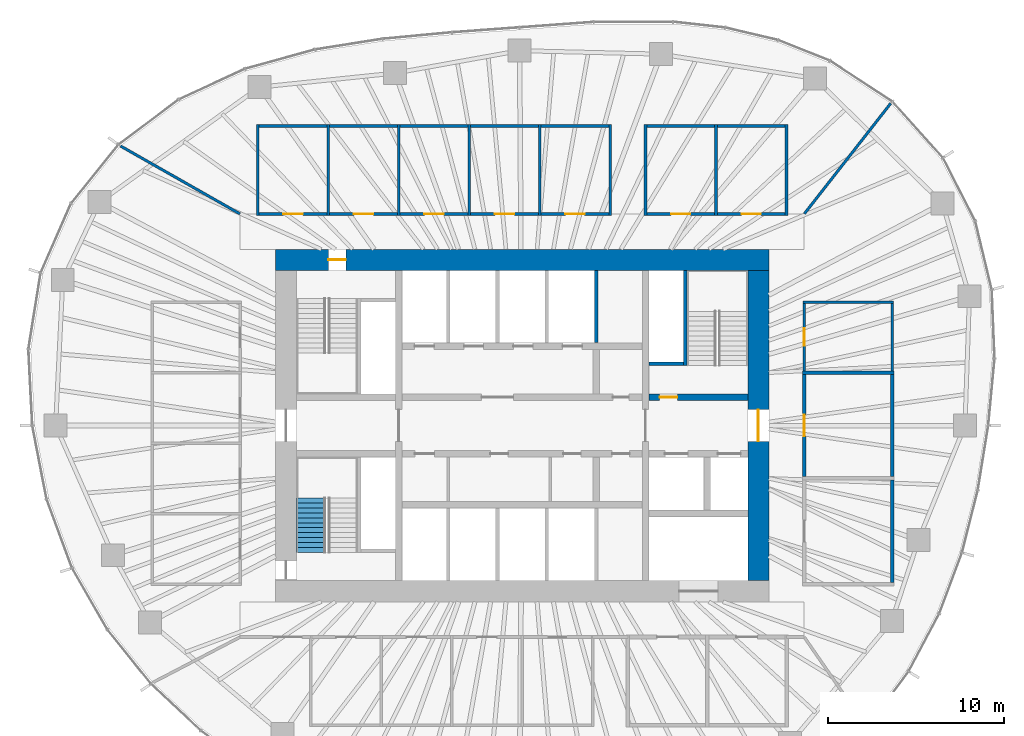
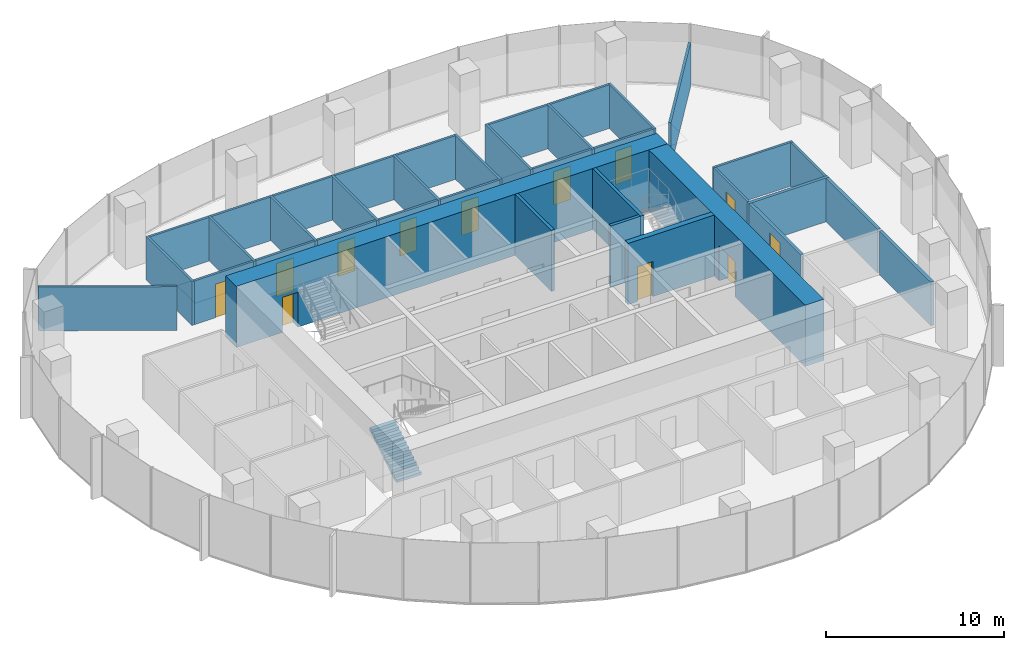
# One storey, part 10 of 12: 38 walls, 12 doors, 1 stair flight, 12 openings, 1 element without a shape of its own.
"""IFC4 building model written with IfcOpenShell, lengths in metres."""

import ifcopenshell
import ifcopenshell.guid

model = None  # the IFC model being written
_history = None  # IfcOwnerHistory: only IFC2X3 demands one
_inside = {}  # id of a spatial element -> (the spatial element, [elements in it])
_under = {}  # id of a project, library or spatial element -> (it, [spatial elements below it])
_declared = {}  # id of a project -> (the project, [libraries it declares])
_typed = {}  # id of a type object -> (the type object, [elements of that type])
_made_of = {}  # id of a material, layer set ... -> (it, [elements and type objects made of it])


def new_model(schema):
    """Start an empty IFC model of exactly this schema.

    Asked for "IFC4X3", IfcOpenShell would pick the latest addendum, in which some entities
    have other attributes; the version numbers below select the first issue.
    IFC2X3 requires an IfcOwnerHistory on every rooted entity: one is made here for all.
    """
    global model, _history
    if schema == "IFC4X3":
        model = ifcopenshell.file(schema_version=(4, 3, 0, 0))
    else:
        model = ifcopenshell.file(schema=schema)
    _inside.clear()
    _under.clear()
    _declared.clear()
    _typed.clear()
    _made_of.clear()
    _history = None
    if model.schema == "IFC2X3":
        org = make("IfcOrganization", Name="unknown")
        user = make(
            "IfcPersonAndOrganization",
            ThePerson=make("IfcPerson", FamilyName="unknown"),
            TheOrganization=org,
        )
        app = make(
            "IfcApplication",
            ApplicationDeveloper=org,
            Version="unknown",
            ApplicationFullName="unknown",
            ApplicationIdentifier="unknown",
        )
        _history = make(
            "IfcOwnerHistory",
            OwningUser=user,
            OwningApplication=app,
            ChangeAction="ADDED",
            CreationDate=0,
        )
    return model


def make(cls, **values):
    """One entity of the class cls with the attributes given. An attribute that is None is left unset."""
    return model.create_entity(
        cls, **{name: value for name, value in values.items() if value is not None}
    )


def rooted(cls, **values):
    """An entity with a GlobalId (a new one), such as an element, a storey or a relation."""
    return make(cls, GlobalId=ifcopenshell.guid.new(), OwnerHistory=_history, **values)


def si_unit(unit_type, name, prefix=None):
    """IfcSIUnit, for example si_unit("LENGTHUNIT", "METRE", prefix="MILLI")."""
    return make("IfcSIUnit", UnitType=unit_type, Prefix=prefix, Name=name)


def assignment(units):
    """IfcUnitAssignment: the units of a project."""
    return None if units is None else make("IfcUnitAssignment", Units=units)


def point(xyz):
    """IfcCartesianPoint."""
    return None if xyz is None else make("IfcCartesianPoint", Coordinates=xyz)


def direction(xyz):
    """IfcDirection."""
    return None if xyz is None else make("IfcDirection", DirectionRatios=xyz)


def frame(location, z_axis=None, x_axis=None):
    """IfcAxis2Placement3D, a coordinate frame: its origin and axes. An axis left out is left unset."""
    return make(
        "IfcAxis2Placement3D",
        Location=point(location),
        Axis=direction(z_axis),
        RefDirection=direction(x_axis),
    )


def frame_2d(location, x_axis=None):
    """IfcAxis2Placement2D, a coordinate frame in the plane: its origin and x axis."""
    return make(
        "IfcAxis2Placement2D", Location=point(location), RefDirection=direction(x_axis)
    )


def origin():
    """The frame at (0, 0, 0) with its axes left unset."""
    return frame((0.0, 0.0, 0.0))


def place(relative_to, where):
    """IfcLocalPlacement: puts the frame where relative to a parent placement (None: the world)."""
    return make(
        "IfcLocalPlacement", PlacementRelTo=relative_to, RelativePlacement=where
    )


def context(
    kind, dimensions, precision=None, world=None, true_north=None, identifier=None
):
    """IfcGeometricRepresentationContext, for example the 3D "Model" context."""
    return make(
        "IfcGeometricRepresentationContext",
        ContextIdentifier=identifier,
        ContextType=kind,
        CoordinateSpaceDimension=dimensions,
        Precision=precision,
        WorldCoordinateSystem=world,
        TrueNorth=true_north,
    )


def subcontext(parent, identifier, kind, view, scale=None):
    """IfcGeometricRepresentationSubContext, for example "Body" below "Model"."""
    return make(
        "IfcGeometricRepresentationSubContext",
        ContextIdentifier=identifier,
        ContextType=kind,
        ParentContext=parent,
        TargetScale=scale,
        TargetView=view,
    )


def project(units=None, contexts=None):
    """IfcProject with its units and contexts."""
    return rooted(
        "IfcProject",
        Name="project",
        RepresentationContexts=contexts,
        UnitsInContext=assignment(units),
    )


def spatial(cls, under=None, at=None, **own):
    """A site, building, storey or space (cls), placed at a placement, below another one or the project."""
    s = rooted(cls, ObjectPlacement=at, **own)
    if under is not None:
        _under.setdefault(under.id(), (under, []))[1].append(s)
    return s


def polyline(points):
    """IfcPolyline through the points."""
    return make("IfcPolyline", Points=[point(p) for p in points])


def profile(cls, at=None, kind="AREA", **sizes):
    """A parametric profile (cls). Its sizes go by their IFC names, for example OverallWidth=200.0."""
    return make(cls, ProfileType=kind, Position=at, **sizes)


def rectangle(**sizes):
    """IfcRectangleProfileDef."""
    return profile("IfcRectangleProfileDef", **sizes)


def outline(outer, holes=None, kind="AREA"):
    """IfcArbitraryClosedProfileDef: a profile drawn as a closed curve; with holes, ...WithVoids."""
    if holes is None:
        return make("IfcArbitraryClosedProfileDef", ProfileType=kind, OuterCurve=outer)
    return make(
        "IfcArbitraryProfileDefWithVoids",
        ProfileType=kind,
        OuterCurve=outer,
        InnerCurves=holes,
    )


def extrude(swept, where, along, depth):
    """IfcExtrudedAreaSolid: the profile swept, set in the frame where, extruded along a direction by depth."""
    return make(
        "IfcExtrudedAreaSolid",
        SweptArea=swept,
        Position=where,
        ExtrudedDirection=direction(along),
        Depth=depth,
    )


def shape(context_of_items, identifier, shape_type, items):
    """IfcShapeRepresentation: the items that make up one representation, for example the "Body"."""
    return make(
        "IfcShapeRepresentation",
        ContextOfItems=context_of_items,
        RepresentationIdentifier=identifier,
        RepresentationType=shape_type,
        Items=items,
    )


def material(Name=None, Category=None):
    """IfcMaterial."""
    return make("IfcMaterial", Name=Name, Category=Category)


def layer(
    of_material, thickness, ventilated=None, Name=None, Category=None, Priority=None
):
    """IfcMaterialLayer: one layer of a wall or slab, of a material (None: an air gap)."""
    return make(
        "IfcMaterialLayer",
        Material=of_material,
        LayerThickness=thickness,
        IsVentilated=ventilated,
        Name=Name,
        Category=Category,
        Priority=Priority,
    )


def layer_set(layers, Name=None):
    """IfcMaterialLayerSet."""
    return make("IfcMaterialLayerSet", MaterialLayers=layers, LayerSetName=Name)


def made_of(thing, what):
    """Note that an element or type object is made of a material, layer set ...; save() writes the relation."""
    if what is not None:
        _made_of.setdefault(what.id(), (what, []))[1].append(thing)
    return thing


def type_object(cls, material=None, **own):
    """A type object (cls), such as IfcWallType, which elements share."""
    return made_of(rooted(cls, **own), material)


def element(
    cls,
    number,
    at=None,
    inside=None,
    cuts=None,
    type_object=None,
    material=None,
    context=None,
    identifier="Body",
    shape_type=None,
    held_by="IfcProductDefinitionShape",
    body=None,
    shapes=None,
    **own,
):
    """One element of the class cls, such as IfcWall. Its Tag is "e" and its number.

    at: its placement. inside: the storey or other place that contains it. cuts: it is an
    opening in that element (IfcRelVoidsElement). A single representation is given by context,
    identifier, shape_type and body (its items); several are given by shapes. held_by: the class
    of the entity that holds the representations. save() writes the other relations.
    """
    e = rooted(cls, Tag="e%d" % number, ObjectPlacement=at, **own)
    if body is not None:
        shapes = [shape(context, identifier, shape_type, body)]
    if shapes is not None:
        e.Representation = make(held_by, Representations=shapes)
    if inside is not None:
        _inside.setdefault(inside.id(), (inside, []))[1].append(e)
    if cuts is not None:
        rooted(
            "IfcRelVoidsElement", RelatingBuildingElement=cuts, RelatedOpeningElement=e
        )
    if type_object is not None:
        _typed.setdefault(type_object.id(), (type_object, []))[1].append(e)
    return made_of(e, material)


def fill(opening, filler):
    """IfcRelFillsElement: the door or window that sits in an opening."""
    return rooted(
        "IfcRelFillsElement",
        RelatingOpeningElement=opening,
        RelatedBuildingElement=filler,
    )


def aggregate(whole, parts):
    """IfcRelAggregates: a whole, such as a stair, and the parts it consists of."""
    return rooted("IfcRelAggregates", RelatingObject=whole, RelatedObjects=parts)


def save(model, path):
    """Write the relations noted so far, then the file.

    IfcRelAggregates (storeys below a building ...), IfcRelContainedInSpatialStructure (elements
    in a storey), IfcRelDefinesByType, IfcRelAssociatesMaterial and IfcRelDeclares: one each for
    every whole, place, type object, material and project.
    """
    for whole, parts in _under.values():
        aggregate(whole, parts)
    for where, things in _inside.values():
        rooted(
            "IfcRelContainedInSpatialStructure",
            RelatedElements=things,
            RelatingStructure=where,
        )
    for kind, things in _typed.values():
        rooted("IfcRelDefinesByType", RelatedObjects=things, RelatingType=kind)
    for what, things in _made_of.values():
        rooted("IfcRelAssociatesMaterial", RelatedObjects=things, RelatingMaterial=what)
    for by, libraries in _declared.values():
        rooted("IfcRelDeclares", RelatingContext=by, RelatedDefinitions=libraries)
    model.write(path)


model = new_model("IFC4")

# Units and contexts
model_context = context("Model", 3, precision=1e-05, world=origin(), true_north=direction((0.0, 1.0)))
body_context = subcontext(model_context, "Body", "Model", "MODEL_VIEW")
ifc_project = project(units=[si_unit("LENGTHUNIT", "METRE"), si_unit("AREAUNIT", "SQUARE_METRE"), si_unit("VOLUMEUNIT", "CUBIC_METRE"), si_unit("PLANEANGLEUNIT", "RADIAN"), si_unit("MASSUNIT", "GRAM", prefix="KILO")], contexts=[model_context])

# Site, building, storey
site_placement = place(None, origin())
site = spatial("IfcSite", under=ifc_project, at=site_placement, CompositionType="ELEMENT")
building_placement = place(site_placement, origin())
building = spatial("IfcBuilding", under=site, at=building_placement, Name="Ghaith Harvest Tower", CompositionType="ELEMENT")
storey_placement = place(building_placement, frame((0.0, 0.0, 207.39990234375)))
storey = spatial("IfcBuildingStorey", under=building, at=storey_placement, Name="L45", CompositionType="ELEMENT", Elevation=207.39990234375)

# Walls
ifc_material_1 = material(Name="Twin-stud gypsum board, acoustic", Category="gypsum")
ifc_layer_1 = layer(ifc_material_1, 0.199951171875)
ifc_layer_set_1 = layer_set([ifc_layer_1], Name="ACOUSTIC PARTITION 200")
wall_type_1 = type_object("IfcWallType", Name="ACOUSTIC PARTITION 200", PredefinedType="PARTITIONING", material=ifc_layer_set_1)
wall_1_placement = place(storey_placement, frame((15.89990234375, 3.0, 0.0), z_axis=(0.0, 0.0, 1.0), x_axis=(1.0, 0.0, 0.0)))
element("IfcWall", 1, at=wall_1_placement, inside=storey, type_object=wall_type_1, Name="Partition L45 row E3 cross wall 3", PredefinedType="PARTITIONING", context=body_context, shape_type="SweptSolid", body=[
    extrude(rectangle(XDim=5.2001953125, YDim=0.199951171875, at=frame_2d((2.60009765625, 0.0))), origin(), (0.0, 0.0, 1.0), 3.0),
])
wall_2_placement = place(storey_placement, frame((21.0, -8.89990234375, 0.0), z_axis=(0.0, 0.0, 1.0), x_axis=(0.0, 1.0, 0.0)))
element("IfcWall", 2, at=wall_2_placement, inside=storey, type_object=wall_type_1, Name="Partition L45-08", PredefinedType="PARTITIONING", context=body_context, shape_type="SweptSolid", body=[
    extrude(rectangle(XDim=5.7998046875, YDim=0.199951171875, at=frame_2d((2.89990234375, 0.0))), origin(), (0.0, 0.0, 1.0), 3.0),
])

# Wall, opening, door
wall_3_placement = place(storey_placement, frame((16.0, -2.89990234375, 0.0), z_axis=(0.0, 0.0, 1.0), x_axis=(0.0, 1.0, 0.0)))
wall_3 = element("IfcWall", 3, at=wall_3_placement, inside=storey, type_object=wall_type_1, Name="Partition L45-09", PredefinedType="PARTITIONING", context=body_context, shape_type="SweptSolid", body=[
    extrude(rectangle(XDim=5.7998046875, YDim=0.199951171875, at=frame_2d((2.89990234375, 0.0))), origin(), (0.0, 0.0, 1.0), 3.0),
])
opening_1_placement = place(wall_3_placement, frame((2.300048828125, 0.0, 0.0)))
opening_1 = element("IfcOpeningElement", 4, at=opening_1_placement, cuts=wall_3, Name="Opening 45-029", PredefinedType="OPENING", context=body_context, shape_type="SweptSolid", body=[
    extrude(rectangle(XDim=1.199951171875, YDim=2.39990234375, at=frame_2d((0.60009765625, 1.199951171875))), frame((0.0, 0.10986328125, 0.0), z_axis=(0.0, -1.0, 0.0), x_axis=(1.0, 0.0, 0.0)), (0.0, 0.0, 1.0), 0.219970703125),
])
ifc_material_2 = material(Name="Timber door", Category="wood")
door_type_1 = type_object("IfcDoorType", Name="D11 GLAZED 1200x2400", OperationType="SINGLE_SWING_LEFT", PredefinedType="DOOR", material=ifc_material_2)
door_1_placement = place(opening_1_placement, origin())
door_1 = element("IfcDoor", 5, at=door_1_placement, inside=storey, type_object=door_type_1, Name="Meeting room door", OperationType="SINGLE_SWING_LEFT", OverallHeight=2.39990234375, OverallWidth=1.199951171875, PredefinedType="DOOR", context=body_context, shape_type="SweptSolid", body=[
    extrude(rectangle(XDim=1.199951171875, YDim=2.39990234375, at=frame_2d((0.60009765625, 1.199951171875))), frame((0.0, 0.02490234375, 0.0), z_axis=(0.0, -1.0, 0.0), x_axis=(1.0, 0.0, 0.0)), (0.0, 0.0, 1.0), 0.050048828125),
])
fill(opening_1, door_1)

# Wall
wall_4_placement = place(storey_placement, frame((21.0, -2.89990234375, 0.0), z_axis=(0.0, 0.0, 1.0), x_axis=(0.0, 1.0, 0.0)))
element("IfcWall", 6, at=wall_4_placement, inside=storey, type_object=wall_type_1, Name="Partition L45-09", PredefinedType="PARTITIONING", context=body_context, shape_type="SweptSolid", body=[
    extrude(rectangle(XDim=5.7998046875, YDim=0.199951171875, at=frame_2d((2.89990234375, 0.0))), origin(), (0.0, 0.0, 1.0), 3.0),
])

# Wall, opening, door
ifc_material_3 = material(Name="Concrete C60/75", Category="concrete")
ifc_layer_2 = layer(ifc_material_3, 1.199951171875)
ifc_layer_set_2 = layer_set([ifc_layer_2], Name="CORE WALL CW1200 C60")
wall_type_2 = type_object("IfcWallType", Name="CORE WALL CW1200 C60", PredefinedType="SHEAR", material=ifc_layer_set_2)
wall_5_placement = place(storey_placement, frame((14.0, 9.39990234375, 0.0), z_axis=(0.0, 0.0, 1.0), x_axis=(-1.0, 0.0, 0.0)))
wall_5 = element("IfcWall", 7, at=wall_5_placement, inside=storey, type_object=wall_type_2, Name="Core wall N L45", PredefinedType="SHEAR", context=body_context, shape_type="SweptSolid", body=[
    extrude(rectangle(XDim=28.0, YDim=1.199951171875, at=frame_2d((14.0, 0.0))), origin(), (0.0, 0.0, 1.0), 4.2001953125),
])
opening_2_placement = place(wall_5_placement, frame((24.0, 0.0, 0.0)))
opening_2 = element("IfcOpeningElement", 8, at=opening_2_placement, cuts=wall_5, Name="Opening 45-005", PredefinedType="OPENING", context=body_context, shape_type="SweptSolid", body=[
    extrude(rectangle(XDim=1.0, YDim=2.39990234375, at=frame_2d((0.5, 1.199951171875))), frame((0.0, 0.60986328125, 0.0), z_axis=(0.0, -1.0, 0.0), x_axis=(1.0, 0.0, 0.0)), (0.0, 0.0, 1.0), 1.219970703125),
])
ifc_material_4 = material(Name="Steel fire door", Category="steel")
door_type_2 = type_object("IfcDoorType", Name="D3 FD90 1000x2400", OperationType="SINGLE_SWING_LEFT", PredefinedType="DOOR", material=ifc_material_4)
door_2_placement = place(opening_2_placement, origin())
door_2 = element("IfcDoor", 9, at=door_2_placement, inside=storey, type_object=door_type_2, Name="Stair ST1 door", OperationType="SINGLE_SWING_RIGHT", OverallHeight=2.39990234375, OverallWidth=1.0, PredefinedType="DOOR", context=body_context, shape_type="SweptSolid", body=[
    extrude(rectangle(XDim=1.0, YDim=2.39990234375, at=frame_2d((0.5, 1.199951171875))), frame((0.0, 0.02490234375, 0.0), z_axis=(0.0, -1.0, 0.0), x_axis=(1.0, 0.0, 0.0)), (0.0, 0.0, 1.0), 0.050048828125),
])
fill(opening_2, door_2)

wall_6_placement = place(storey_placement, frame((13.39990234375, -8.800048828125, 0.0), z_axis=(0.0, 0.0, 1.0), x_axis=(0.0, 1.0, 0.0)))
wall_6 = element("IfcWall", 10, at=wall_6_placement, inside=storey, type_object=wall_type_2, Name="Core wall E L45", PredefinedType="SHEAR", context=body_context, shape_type="SweptSolid", body=[
    extrude(rectangle(XDim=17.60009765625, YDim=1.199951171875, at=frame_2d((8.800048828125, 0.0))), origin(), (0.0, 0.0, 1.0), 4.2001953125),
])
opening_3_placement = place(wall_6_placement, frame((7.89990234375, 0.0, 0.0)))
opening_3 = element("IfcOpeningElement", 11, at=opening_3_placement, cuts=wall_6, Name="Opening 45-002", PredefinedType="OPENING", context=body_context, shape_type="SweptSolid", body=[
    extrude(rectangle(XDim=1.800048828125, YDim=2.39990234375, at=frame_2d((0.89990234375, 1.199951171875))), frame((0.0, 0.60986328125, 0.0), z_axis=(0.0, -1.0, 0.0), x_axis=(1.0, 0.0, 0.0)), (0.0, 0.0, 1.0), 1.219970703125),
])
ifc_material_5 = material(Name="Steel fire door", Category="steel")
door_type_3 = type_object("IfcDoorType", Name="D4 FD90 PAIR 1800x2400", OperationType="DOUBLE_DOOR_SINGLE_SWING", PredefinedType="DOOR", material=ifc_material_5)
door_3_placement = place(opening_3_placement, origin())
door_3 = element("IfcDoor", 12, at=door_3_placement, inside=storey, type_object=door_type_3, Name="Fire-fighting lobby doors", OperationType="DOUBLE_DOOR_SINGLE_SWING", OverallHeight=2.39990234375, OverallWidth=1.800048828125, PredefinedType="DOOR", context=body_context, shape_type="SweptSolid", body=[
    extrude(rectangle(XDim=1.800048828125, YDim=2.39990234375, at=frame_2d((0.89990234375, 1.199951171875))), frame((0.0, 0.02490234375, 0.0), z_axis=(0.0, -1.0, 0.0), x_axis=(1.0, 0.0, 0.0)), (0.0, 0.0, 1.0), 0.050048828125),
])
fill(opening_3, door_3)

# Walls
ifc_material_6 = material(Name="Concrete blockwork, 2-hour", Category="masonry")
ifc_layer_3 = layer(ifc_material_6, 0.199951171875)
ifc_layer_set_3 = layer_set([ifc_layer_3], Name="LIFT SHAFT WALL 200")
wall_type_3 = type_object("IfcWallType", Name="LIFT SHAFT WALL 200", PredefinedType="PARTITIONING", material=ifc_layer_set_3)
wall_7_placement = place(storey_placement, frame((4.199951171875, 4.699951171875, 0.0), z_axis=(0.0, 0.0, 1.0), x_axis=(0.0, 1.0, 0.0)))
element("IfcWall", 13, at=wall_7_placement, inside=storey, type_object=wall_type_3, Name="Lift shaft wall L45", PredefinedType="PARTITIONING", context=body_context, shape_type="SweptSolid", body=[
    extrude(rectangle(XDim=4.10009765625, YDim=0.199951171875, at=frame_2d((2.050048828125, 0.0))), origin(), (0.0, 0.0, 1.0), 4.2001953125),
])
ifc_material_7 = material(Name="Gypsum board on steel studs", Category="steel")
ifc_layer_4 = layer(ifc_material_7, 0.14990234375)
ifc_layer_set_4 = layer_set([ifc_layer_4], Name="PARTITION 150")
wall_type_4 = type_object("IfcWallType", Name="PARTITION 150", PredefinedType="PARTITIONING", material=ifc_layer_set_4)
for number, where, z_axis, x_axis, name in (
    (14, (-15.0, 11.925048828125, 0.0), (0.0, 0.0, 1.0), (0.0, 1.0, 0.0), "Partition L45 row N1 cross wall 1"),
    (15, (-11.0, 11.925048828125, 0.0), (0.0, 0.0, 1.0), (0.0, 1.0, 0.0), "Partition L45 row N1 cross wall 2"),
    (16, (-7.0, 11.925048828125, 0.0), (0.0, 0.0, 1.0), (0.0, 1.0, 0.0), "Partition L45 row N1 cross wall 3"),
    (17, (-3.0, 11.925048828125, 0.0), (0.0, 0.0, 1.0), (0.0, 1.0, 0.0), "Partition L45 row N1 cross wall 4"),
    (18, (1.0, 11.925048828125, 0.0), (0.0, 0.0, 1.0), (0.0, 1.0, 0.0), "Partition L45 row N1 cross wall 5"),
    (19, (5.0, 11.925048828125, 0.0), (0.0, 0.0, 1.0), (0.0, 1.0, 0.0), "Partition L45 row N1 cross wall 6"),
):
    element("IfcWall", number, at=place(storey_placement, frame(where, z_axis=z_axis, x_axis=x_axis)), inside=storey, type_object=wall_type_4, Name=name, PredefinedType="PARTITIONING", context=body_context, shape_type="SweptSolid", body=[
        extrude(rectangle(XDim=5.14990234375, YDim=0.14990234375, at=frame_2d((2.574951171875, 0.0))), origin(), (0.0, 0.0, 1.0), 3.0),
    ])

# Wall, opening, door
wall_8_placement = place(storey_placement, frame((-14.925048828125, 12.0, 0.0), z_axis=(0.0, 0.0, 1.0), x_axis=(1.0, 0.0, 0.0)))
wall_8 = element("IfcWall", 20, at=wall_8_placement, inside=storey, type_object=wall_type_4, Name="Partition L45-01", PredefinedType="PARTITIONING", context=body_context, shape_type="SweptSolid", body=[
    extrude(rectangle(XDim=3.85009765625, YDim=0.14990234375, at=frame_2d((1.925048828125, 0.0))), origin(), (0.0, 0.0, 1.0), 3.0),
])
opening_4_placement = place(wall_8_placement, frame((1.375, 0.0, 0.0)))
opening_4 = element("IfcOpeningElement", 21, at=opening_4_placement, cuts=wall_8, Name="Opening 45-021", PredefinedType="OPENING", context=body_context, shape_type="SweptSolid", body=[
    extrude(rectangle(XDim=1.10009765625, YDim=2.300048828125, at=frame_2d((0.550048828125, 1.14990234375))), frame((0.0, 0.0849609375, 0.0), z_axis=(0.0, -1.0, 0.0), x_axis=(1.0, 0.0, 0.0)), (0.0, 0.0, 1.0), 0.169921875),
])
ifc_material_8 = material(Name="Timber-framed glazed door", Category="wood")
door_type_4 = type_object("IfcDoorType", Name="D12 GLAZED OFFICE 1100x2300", OperationType="SINGLE_SWING_LEFT", PredefinedType="DOOR", material=ifc_material_8)
door_4_placement = place(opening_4_placement, origin())
door_4 = element("IfcDoor", 22, at=door_4_placement, inside=storey, type_object=door_type_4, Name="Office door", OperationType="SINGLE_SWING_LEFT", OverallHeight=2.300048828125, OverallWidth=1.10009765625, PredefinedType="DOOR", context=body_context, shape_type="SweptSolid", body=[
    extrude(rectangle(XDim=1.10009765625, YDim=2.300048828125, at=frame_2d((0.550048828125, 1.14990234375))), frame((0.0, 0.02490234375, 0.0), z_axis=(0.0, -1.0, 0.0), x_axis=(1.0, 0.0, 0.0)), (0.0, 0.0, 1.0), 0.050048828125),
])
fill(opening_4, door_4)

# Wall
wall_9_placement = place(storey_placement, frame((-14.925048828125, 17.0, 0.0), z_axis=(0.0, 0.0, 1.0), x_axis=(1.0, 0.0, 0.0)))
element("IfcWall", 23, at=wall_9_placement, inside=storey, type_object=wall_type_4, Name="Partition L45-01", PredefinedType="PARTITIONING", context=body_context, shape_type="SweptSolid", body=[
    extrude(rectangle(XDim=3.85009765625, YDim=0.14990234375, at=frame_2d((1.925048828125, 0.0))), origin(), (0.0, 0.0, 1.0), 3.0),
])

# Wall, opening, door
wall_10_placement = place(storey_placement, frame((-10.925048828125, 12.0, 0.0), z_axis=(0.0, 0.0, 1.0), x_axis=(1.0, 0.0, 0.0)))
wall_10 = element("IfcWall", 24, at=wall_10_placement, inside=storey, type_object=wall_type_4, Name="Partition L45-02", PredefinedType="PARTITIONING", context=body_context, shape_type="SweptSolid", body=[
    extrude(rectangle(XDim=3.85009765625, YDim=0.14990234375, at=frame_2d((1.925048828125, 0.0))), origin(), (0.0, 0.0, 1.0), 3.0),
])
opening_5_placement = place(wall_10_placement, frame((1.375, 0.0, 0.0)))
opening_5 = element("IfcOpeningElement", 25, at=opening_5_placement, cuts=wall_10, Name="Opening 45-022", PredefinedType="OPENING", context=body_context, shape_type="SweptSolid", body=[
    extrude(rectangle(XDim=1.10009765625, YDim=2.300048828125, at=frame_2d((0.550048828125, 1.14990234375))), frame((0.0, 0.0849609375, 0.0), z_axis=(0.0, -1.0, 0.0), x_axis=(1.0, 0.0, 0.0)), (0.0, 0.0, 1.0), 0.169921875),
])
door_5_placement = place(opening_5_placement, origin())
door_5 = element("IfcDoor", 26, at=door_5_placement, inside=storey, type_object=door_type_4, Name="Office door", OperationType="SINGLE_SWING_LEFT", OverallHeight=2.300048828125, OverallWidth=1.10009765625, PredefinedType="DOOR", context=body_context, shape_type="SweptSolid", body=[
    extrude(rectangle(XDim=1.10009765625, YDim=2.300048828125, at=frame_2d((0.550048828125, 1.14990234375))), frame((0.0, 0.02490234375, 0.0), z_axis=(0.0, -1.0, 0.0), x_axis=(1.0, 0.0, 0.0)), (0.0, 0.0, 1.0), 0.050048828125),
])
fill(opening_5, door_5)

# Wall
wall_11_placement = place(storey_placement, frame((-10.925048828125, 17.0, 0.0), z_axis=(0.0, 0.0, 1.0), x_axis=(1.0, 0.0, 0.0)))
element("IfcWall", 27, at=wall_11_placement, inside=storey, type_object=wall_type_4, Name="Partition L45-02", PredefinedType="PARTITIONING", context=body_context, shape_type="SweptSolid", body=[
    extrude(rectangle(XDim=3.85009765625, YDim=0.14990234375, at=frame_2d((1.925048828125, 0.0))), origin(), (0.0, 0.0, 1.0), 3.0),
])

# Wall, opening, door
wall_12_placement = place(storey_placement, frame((-6.925048828125, 12.0, 0.0), z_axis=(0.0, 0.0, 1.0), x_axis=(1.0, 0.0, 0.0)))
wall_12 = element("IfcWall", 28, at=wall_12_placement, inside=storey, type_object=wall_type_4, Name="Partition L45-03", PredefinedType="PARTITIONING", context=body_context, shape_type="SweptSolid", body=[
    extrude(rectangle(XDim=3.85009765625, YDim=0.14990234375, at=frame_2d((1.925048828125, 0.0))), origin(), (0.0, 0.0, 1.0), 3.0),
])
opening_6_placement = place(wall_12_placement, frame((1.375, 0.0, 0.0)))
opening_6 = element("IfcOpeningElement", 29, at=opening_6_placement, cuts=wall_12, Name="Opening 45-023", PredefinedType="OPENING", context=body_context, shape_type="SweptSolid", body=[
    extrude(rectangle(XDim=1.10009765625, YDim=2.300048828125, at=frame_2d((0.550048828125, 1.14990234375))), frame((0.0, 0.0849609375, 0.0), z_axis=(0.0, -1.0, 0.0), x_axis=(1.0, 0.0, 0.0)), (0.0, 0.0, 1.0), 0.169921875),
])
door_6_placement = place(opening_6_placement, origin())
door_6 = element("IfcDoor", 30, at=door_6_placement, inside=storey, type_object=door_type_4, Name="Office door", OperationType="SINGLE_SWING_LEFT", OverallHeight=2.300048828125, OverallWidth=1.10009765625, PredefinedType="DOOR", context=body_context, shape_type="SweptSolid", body=[
    extrude(rectangle(XDim=1.10009765625, YDim=2.300048828125, at=frame_2d((0.550048828125, 1.14990234375))), frame((0.0, 0.02490234375, 0.0), z_axis=(0.0, -1.0, 0.0), x_axis=(1.0, 0.0, 0.0)), (0.0, 0.0, 1.0), 0.050048828125),
])
fill(opening_6, door_6)

# Wall
wall_13_placement = place(storey_placement, frame((-6.925048828125, 17.0, 0.0), z_axis=(0.0, 0.0, 1.0), x_axis=(1.0, 0.0, 0.0)))
element("IfcWall", 31, at=wall_13_placement, inside=storey, type_object=wall_type_4, Name="Partition L45-03", PredefinedType="PARTITIONING", context=body_context, shape_type="SweptSolid", body=[
    extrude(rectangle(XDim=3.85009765625, YDim=0.14990234375, at=frame_2d((1.925048828125, 0.0))), origin(), (0.0, 0.0, 1.0), 3.0),
])

# Wall, opening, door
wall_14_placement = place(storey_placement, frame((-2.925048828125, 12.0, 0.0), z_axis=(0.0, 0.0, 1.0), x_axis=(1.0, 0.0, 0.0)))
wall_14 = element("IfcWall", 32, at=wall_14_placement, inside=storey, type_object=wall_type_4, Name="Partition L45-04", PredefinedType="PARTITIONING", context=body_context, shape_type="SweptSolid", body=[
    extrude(rectangle(XDim=3.85009765625, YDim=0.14990234375, at=frame_2d((1.925048828125, 0.0))), origin(), (0.0, 0.0, 1.0), 3.0),
])
opening_7_placement = place(wall_14_placement, frame((1.375, 0.0, 0.0)))
opening_7 = element("IfcOpeningElement", 33, at=opening_7_placement, cuts=wall_14, Name="Opening 45-024", PredefinedType="OPENING", context=body_context, shape_type="SweptSolid", body=[
    extrude(rectangle(XDim=1.10009765625, YDim=2.300048828125, at=frame_2d((0.550048828125, 1.14990234375))), frame((0.0, 0.0849609375, 0.0), z_axis=(0.0, -1.0, 0.0), x_axis=(1.0, 0.0, 0.0)), (0.0, 0.0, 1.0), 0.169921875),
])
door_7_placement = place(opening_7_placement, origin())
door_7 = element("IfcDoor", 34, at=door_7_placement, inside=storey, type_object=door_type_4, Name="Office door", OperationType="SINGLE_SWING_LEFT", OverallHeight=2.300048828125, OverallWidth=1.10009765625, PredefinedType="DOOR", context=body_context, shape_type="SweptSolid", body=[
    extrude(rectangle(XDim=1.10009765625, YDim=2.300048828125, at=frame_2d((0.550048828125, 1.14990234375))), frame((0.0, 0.02490234375, 0.0), z_axis=(0.0, -1.0, 0.0), x_axis=(1.0, 0.0, 0.0)), (0.0, 0.0, 1.0), 0.050048828125),
])
fill(opening_7, door_7)

# Wall
wall_15_placement = place(storey_placement, frame((-2.925048828125, 17.0, 0.0), z_axis=(0.0, 0.0, 1.0), x_axis=(1.0, 0.0, 0.0)))
element("IfcWall", 35, at=wall_15_placement, inside=storey, type_object=wall_type_4, Name="Partition L45-04", PredefinedType="PARTITIONING", context=body_context, shape_type="SweptSolid", body=[
    extrude(rectangle(XDim=3.85009765625, YDim=0.14990234375, at=frame_2d((1.925048828125, 0.0))), origin(), (0.0, 0.0, 1.0), 3.0),
])

# Wall, opening, door
wall_16_placement = place(storey_placement, frame((1.074951171875, 12.0, 0.0), z_axis=(0.0, 0.0, 1.0), x_axis=(1.0, 0.0, 0.0)))
wall_16 = element("IfcWall", 36, at=wall_16_placement, inside=storey, type_object=wall_type_4, Name="Partition L45-05", PredefinedType="PARTITIONING", context=body_context, shape_type="SweptSolid", body=[
    extrude(rectangle(XDim=3.85009765625, YDim=0.14990234375, at=frame_2d((1.925048828125, 0.0))), origin(), (0.0, 0.0, 1.0), 3.0),
])
opening_8_placement = place(wall_16_placement, frame((1.375, 0.0, 0.0)))
opening_8 = element("IfcOpeningElement", 37, at=opening_8_placement, cuts=wall_16, Name="Opening 45-025", PredefinedType="OPENING", context=body_context, shape_type="SweptSolid", body=[
    extrude(rectangle(XDim=1.10009765625, YDim=2.300048828125, at=frame_2d((0.550048828125, 1.14990234375))), frame((0.0, 0.0849609375, 0.0), z_axis=(0.0, -1.0, 0.0), x_axis=(1.0, 0.0, 0.0)), (0.0, 0.0, 1.0), 0.169921875),
])
door_8_placement = place(opening_8_placement, origin())
door_8 = element("IfcDoor", 38, at=door_8_placement, inside=storey, type_object=door_type_4, Name="Office door", OperationType="SINGLE_SWING_LEFT", OverallHeight=2.300048828125, OverallWidth=1.10009765625, PredefinedType="DOOR", context=body_context, shape_type="SweptSolid", body=[
    extrude(rectangle(XDim=1.10009765625, YDim=2.300048828125, at=frame_2d((0.550048828125, 1.14990234375))), frame((0.0, 0.02490234375, 0.0), z_axis=(0.0, -1.0, 0.0), x_axis=(1.0, 0.0, 0.0)), (0.0, 0.0, 1.0), 0.050048828125),
])
fill(opening_8, door_8)

# Walls
wall_17_placement = place(storey_placement, frame((1.074951171875, 17.0, 0.0), z_axis=(0.0, 0.0, 1.0), x_axis=(1.0, 0.0, 0.0)))
element("IfcWall", 39, at=wall_17_placement, inside=storey, type_object=wall_type_4, Name="Partition L45-05", PredefinedType="PARTITIONING", context=body_context, shape_type="SweptSolid", body=[
    extrude(rectangle(XDim=3.85009765625, YDim=0.14990234375, at=frame_2d((1.925048828125, 0.0))), origin(), (0.0, 0.0, 1.0), 3.0),
])
for number, where, z_axis, x_axis, name in (
    (40, (7.0, 11.925048828125, 0.0), (0.0, 0.0, 1.0), (0.0, 1.0, 0.0), "Partition L45 row N2 cross wall 1"),
    (41, (11.0, 11.925048828125, 0.0), (0.0, 0.0, 1.0), (0.0, 1.0, 0.0), "Partition L45 row N2 cross wall 2"),
    (42, (15.0, 11.925048828125, 0.0), (0.0, 0.0, 1.0), (0.0, 1.0, 0.0), "Partition L45 row N2 cross wall 3"),
):
    element("IfcWall", number, at=place(storey_placement, frame(where, z_axis=z_axis, x_axis=x_axis)), inside=storey, type_object=wall_type_4, Name=name, PredefinedType="PARTITIONING", context=body_context, shape_type="SweptSolid", body=[
        extrude(rectangle(XDim=5.14990234375, YDim=0.14990234375, at=frame_2d((2.574951171875, 0.0))), origin(), (0.0, 0.0, 1.0), 3.0),
    ])

# Wall, opening, door
wall_18_placement = place(storey_placement, frame((7.074951171875, 12.0, 0.0), z_axis=(0.0, 0.0, 1.0), x_axis=(1.0, 0.0, 0.0)))
wall_18 = element("IfcWall", 43, at=wall_18_placement, inside=storey, type_object=wall_type_4, Name="Partition L45-06", PredefinedType="PARTITIONING", context=body_context, shape_type="SweptSolid", body=[
    extrude(rectangle(XDim=3.85009765625, YDim=0.14990234375, at=frame_2d((1.925048828125, 0.0))), origin(), (0.0, 0.0, 1.0), 3.0),
])
opening_9_placement = place(wall_18_placement, frame((1.375, 0.0, 0.0)))
opening_9 = element("IfcOpeningElement", 44, at=opening_9_placement, cuts=wall_18, Name="Opening 45-026", PredefinedType="OPENING", context=body_context, shape_type="SweptSolid", body=[
    extrude(rectangle(XDim=1.10009765625, YDim=2.300048828125, at=frame_2d((0.550048828125, 1.14990234375))), frame((0.0, 0.0849609375, 0.0), z_axis=(0.0, -1.0, 0.0), x_axis=(1.0, 0.0, 0.0)), (0.0, 0.0, 1.0), 0.169921875),
])
door_9_placement = place(opening_9_placement, origin())
door_9 = element("IfcDoor", 45, at=door_9_placement, inside=storey, type_object=door_type_4, Name="Office door", OperationType="SINGLE_SWING_LEFT", OverallHeight=2.300048828125, OverallWidth=1.10009765625, PredefinedType="DOOR", context=body_context, shape_type="SweptSolid", body=[
    extrude(rectangle(XDim=1.10009765625, YDim=2.300048828125, at=frame_2d((0.550048828125, 1.14990234375))), frame((0.0, 0.02490234375, 0.0), z_axis=(0.0, -1.0, 0.0), x_axis=(1.0, 0.0, 0.0)), (0.0, 0.0, 1.0), 0.050048828125),
])
fill(opening_9, door_9)

# Wall
wall_19_placement = place(storey_placement, frame((7.074951171875, 17.0, 0.0), z_axis=(0.0, 0.0, 1.0), x_axis=(1.0, 0.0, 0.0)))
element("IfcWall", 46, at=wall_19_placement, inside=storey, type_object=wall_type_4, Name="Partition L45-06", PredefinedType="PARTITIONING", context=body_context, shape_type="SweptSolid", body=[
    extrude(rectangle(XDim=3.85009765625, YDim=0.14990234375, at=frame_2d((1.925048828125, 0.0))), origin(), (0.0, 0.0, 1.0), 3.0),
])

# Wall, opening, door
wall_20_placement = place(storey_placement, frame((11.074951171875, 12.0, 0.0), z_axis=(0.0, 0.0, 1.0), x_axis=(1.0, 0.0, 0.0)))
wall_20 = element("IfcWall", 47, at=wall_20_placement, inside=storey, type_object=wall_type_4, Name="Partition L45-07", PredefinedType="PARTITIONING", context=body_context, shape_type="SweptSolid", body=[
    extrude(rectangle(XDim=3.85009765625, YDim=0.14990234375, at=frame_2d((1.925048828125, 0.0))), origin(), (0.0, 0.0, 1.0), 3.0),
])
opening_10_placement = place(wall_20_placement, frame((1.375, 0.0, 0.0)))
opening_10 = element("IfcOpeningElement", 48, at=opening_10_placement, cuts=wall_20, Name="Opening 45-027", PredefinedType="OPENING", context=body_context, shape_type="SweptSolid", body=[
    extrude(rectangle(XDim=1.10009765625, YDim=2.300048828125, at=frame_2d((0.550048828125, 1.14990234375))), frame((0.0, 0.0849609375, 0.0), z_axis=(0.0, -1.0, 0.0), x_axis=(1.0, 0.0, 0.0)), (0.0, 0.0, 1.0), 0.169921875),
])
door_10_placement = place(opening_10_placement, origin())
door_10 = element("IfcDoor", 49, at=door_10_placement, inside=storey, type_object=door_type_4, Name="Office door", OperationType="SINGLE_SWING_LEFT", OverallHeight=2.300048828125, OverallWidth=1.10009765625, PredefinedType="DOOR", context=body_context, shape_type="SweptSolid", body=[
    extrude(rectangle(XDim=1.10009765625, YDim=2.300048828125, at=frame_2d((0.550048828125, 1.14990234375))), frame((0.0, 0.02490234375, 0.0), z_axis=(0.0, -1.0, 0.0), x_axis=(1.0, 0.0, 0.0)), (0.0, 0.0, 1.0), 0.050048828125),
])
fill(opening_10, door_10)

# Walls
wall_21_placement = place(storey_placement, frame((11.074951171875, 17.0, 0.0), z_axis=(0.0, 0.0, 1.0), x_axis=(1.0, 0.0, 0.0)))
element("IfcWall", 50, at=wall_21_placement, inside=storey, type_object=wall_type_4, Name="Partition L45-07", PredefinedType="PARTITIONING", context=body_context, shape_type="SweptSolid", body=[
    extrude(rectangle(XDim=3.85009765625, YDim=0.14990234375, at=frame_2d((1.925048828125, 0.0))), origin(), (0.0, 0.0, 1.0), 3.0),
])
wall_22_placement = place(storey_placement, frame((15.925048828125, 7.0, 0.0), z_axis=(0.0, 0.0, 1.0), x_axis=(1.0, 0.0, 0.0)))
element("IfcWall", 51, at=wall_22_placement, inside=storey, type_object=wall_type_4, Name="Partition L45 row E3 cross wall 4", PredefinedType="PARTITIONING", context=body_context, shape_type="SweptSolid", body=[
    extrude(rectangle(XDim=5.14990234375, YDim=0.14990234375, at=frame_2d((2.574951171875, 0.0))), origin(), (0.0, 0.0, 1.0), 3.0),
])

# Wall, opening, door
wall_23_placement = place(storey_placement, frame((16.0, 3.10009765625, 0.0), z_axis=(0.0, 0.0, 1.0), x_axis=(0.0, 1.0, 0.0)))
wall_23 = element("IfcWall", 52, at=wall_23_placement, inside=storey, type_object=wall_type_4, Name="Partition L45-10", PredefinedType="PARTITIONING", context=body_context, shape_type="SweptSolid", body=[
    extrude(rectangle(XDim=3.824951171875, YDim=0.14990234375, at=frame_2d((1.91259765625, 0.0))), origin(), (0.0, 0.0, 1.0), 3.0),
])
opening_11_placement = place(wall_23_placement, frame((1.41259765625, 0.0, 0.0)))
opening_11 = element("IfcOpeningElement", 53, at=opening_11_placement, cuts=wall_23, Name="Opening 45-030", PredefinedType="OPENING", context=body_context, shape_type="SweptSolid", body=[
    extrude(rectangle(XDim=1.0, YDim=2.199951171875, at=frame_2d((0.5, 1.10009765625))), frame((0.0, 0.0849609375, 0.0), z_axis=(0.0, -1.0, 0.0), x_axis=(1.0, 0.0, 0.0)), (0.0, 0.0, 1.0), 0.169921875),
])
ifc_material_9 = material(Name="Timber door", Category="wood")
door_type_5 = type_object("IfcDoorType", Name="D1 SINGLE 1000x2200", OperationType="SINGLE_SWING_LEFT", PredefinedType="DOOR", material=ifc_material_9)
door_11_placement = place(opening_11_placement, origin())
door_11 = element("IfcDoor", 54, at=door_11_placement, inside=storey, type_object=door_type_5, Name="Pantry door", OperationType="SINGLE_SWING_LEFT", OverallHeight=2.199951171875, OverallWidth=1.0, PredefinedType="DOOR", context=body_context, shape_type="SweptSolid", body=[
    extrude(rectangle(XDim=1.0, YDim=2.199951171875, at=frame_2d((0.5, 1.10009765625))), frame((0.0, 0.02490234375, 0.0), z_axis=(0.0, -1.0, 0.0), x_axis=(1.0, 0.0, 0.0)), (0.0, 0.0, 1.0), 0.050048828125),
])
fill(opening_11, door_11)

# Walls
wall_24_placement = place(storey_placement, frame((21.0, 3.10009765625, 0.0), z_axis=(0.0, 0.0, 1.0), x_axis=(0.0, 1.0, 0.0)))
element("IfcWall", 55, at=wall_24_placement, inside=storey, type_object=wall_type_4, Name="Partition L45-10", PredefinedType="PARTITIONING", context=body_context, shape_type="SweptSolid", body=[
    extrude(rectangle(XDim=3.824951171875, YDim=0.14990234375, at=frame_2d((1.91259765625, 0.0))), origin(), (0.0, 0.0, 1.0), 3.0),
])
wall_25_placement = place(storey_placement, frame((-16.017333984375, 12.010009765625, 0.0), z_axis=(0.0, 0.0, 1.0), x_axis=(-0.869357432803, 0.494183826151, 0.0)))
element("IfcWall", 56, at=wall_25_placement, inside=storey, type_object=wall_type_4, Name="Partition L45 zone division", PredefinedType="PARTITIONING", context=body_context, shape_type="SweptSolid", body=[
    extrude(rectangle(XDim=7.791259765625, YDim=0.14990234375, at=frame_2d((3.8955078125, 0.0))), origin(), (0.0, 0.0, 1.0), 3.0),
])
wall_26_placement = place(storey_placement, frame((16.01220703125, 12.015625, 0.0), z_axis=(0.0, 0.0, 1.0), x_axis=(0.616030058222, 0.787722646219, 0.0)))
element("IfcWall", 57, at=wall_26_placement, inside=storey, type_object=wall_type_4, Name="Partition L45 zone division", PredefinedType="PARTITIONING", context=body_context, shape_type="SweptSolid", body=[
    extrude(rectangle(XDim=7.95166015625, YDim=0.14990234375, at=frame_2d((3.975830078125, 0.0))), origin(), (0.0, 0.0, 1.0), 3.0),
])

# Wall, opening, door
ifc_material_10 = material(Name="Concrete C60/75", Category="concrete")
ifc_layer_5 = layer(ifc_material_10, 0.35009765625)
ifc_layer_set_5 = layer_set([ifc_layer_5], Name="SHAFT WALL 350")
wall_type_5 = type_object("IfcWallType", Name="SHAFT WALL 350", PredefinedType="SHEAR", material=ifc_layer_set_5)
wall_27_placement = place(storey_placement, frame((7.199951171875, 1.60009765625, 0.0), z_axis=(0.0, 0.0, 1.0), x_axis=(1.0, 0.0, 0.0)))
wall_27 = element("IfcWall", 58, at=wall_27_placement, inside=storey, type_object=wall_type_5, Name="Shaft wall EN L45", PredefinedType="SHEAR", context=body_context, shape_type="SweptSolid", body=[
    extrude(rectangle(XDim=5.60009765625, YDim=0.35009765625, at=frame_2d((2.800048828125, 0.0))), origin(), (0.0, 0.0, 1.0), 4.2001953125),
])
opening_12_placement = place(wall_27_placement, frame((0.60009765625, 0.0, 0.0)))
opening_12 = element("IfcOpeningElement", 59, at=opening_12_placement, cuts=wall_27, Name="Opening 45-007", PredefinedType="OPENING", context=body_context, shape_type="SweptSolid", body=[
    extrude(rectangle(XDim=1.0, YDim=2.39990234375, at=frame_2d((0.5, 1.199951171875))), frame((0.0, 0.18505859375, 0.0), z_axis=(0.0, -1.0, 0.0), x_axis=(1.0, 0.0, 0.0)), (0.0, 0.0, 1.0), 0.3701171875),
])
door_12_placement = place(opening_12_placement, origin())
door_12 = element("IfcDoor", 60, at=door_12_placement, inside=storey, type_object=door_type_2, Name="Stair ST2 door", OperationType="SINGLE_SWING_LEFT", OverallHeight=2.39990234375, OverallWidth=1.0, PredefinedType="DOOR", context=body_context, shape_type="SweptSolid", body=[
    extrude(rectangle(XDim=1.0, YDim=2.39990234375, at=frame_2d((0.5, 1.199951171875))), frame((0.0, 0.02490234375, 0.0), z_axis=(0.0, -1.0, 0.0), x_axis=(1.0, 0.0, 0.0)), (0.0, 0.0, 1.0), 0.050048828125),
])
fill(opening_12, door_12)

# Walls
ifc_material_11 = material(Name="Concrete C40/50", Category="concrete")
ifc_layer_6 = layer(ifc_material_11, 0.199951171875)
ifc_layer_set_6 = layer_set([ifc_layer_6], Name="STAIR SPINE WALL RC200")
wall_type_6 = type_object("IfcWallType", Name="STAIR SPINE WALL RC200", PredefinedType="SOLIDWALL", material=ifc_layer_set_6)
wall_28_placement = place(storey_placement, frame((9.25, 3.39990234375, 0.0), z_axis=(0.0, 0.0, 1.0), x_axis=(0.0, 1.0, 0.0)))
element("IfcWall", 61, at=wall_28_placement, inside=storey, type_object=wall_type_6, Name="Stair ST2 spine wall L45", PredefinedType="SOLIDWALL", context=body_context, shape_type="SweptSolid", body=[
    extrude(rectangle(XDim=5.400146484375, YDim=0.199951171875, at=frame_2d((2.7001953125, 0.0))), origin(), (0.0, 0.0, 1.0), 4.2001953125),
])
wall_29_placement = place(storey_placement, frame((9.14990234375, 3.5, 0.0), z_axis=(0.0, 0.0, 1.0), x_axis=(-1.0, 0.0, 0.0)))
element("IfcWall", 62, at=wall_29_placement, inside=storey, type_object=wall_type_6, Name="Stair ST2 spine wall return L45", PredefinedType="SOLIDWALL", context=body_context, shape_type="SweptSolid", body=[
    extrude(rectangle(XDim=1.949951171875, YDim=0.199951171875, at=frame_2d((0.97509765625, 0.0))), origin(), (0.0, 0.0, 1.0), 4.2001953125),
])

# Stair, stair flight
ifc_material_12 = material(Name="Concrete C40/50, precast", Category="concrete")
stair_type = type_object("IfcStairType", Name="CORE STAIR 24R", PredefinedType="HALF_TURN_STAIR", material=ifc_material_12)
stair_placement = place(storey_placement, origin())
stair = element("IfcStair", 63, at=stair_placement, inside=storey, type_object=stair_type, Name="Stair ST3 L45", PredefinedType="HALF_TURN_STAIR")
ifc_material_13 = material(Name="Concrete C40/50, precast", Category="concrete")
stair_flight_type = type_object("IfcStairFlightType", Name="CORE FLIGHT 12R 1600", PredefinedType="STRAIGHT", material=ifc_material_13)
stair_flight_placement = place(storey_placement, frame((-12.0, -7.199951171875, 0.0), z_axis=(0.0, 0.0, 1.0), x_axis=(0.0, 1.0, 0.0)))
stair_flight = element("IfcStairFlight", 64, at=stair_flight_placement, type_object=stair_flight_type, Name="ST3 flight 1", NumberOfRisers=12, NumberOfTreads=11, PredefinedType="STRAIGHT", RiserHeight=0.175, TreadLength=0.28, context=body_context, shape_type="SweptSolid", body=[
    extrude(outline(polyline([(0.0, 0.0), (0.0, 0.175048828125), (0.280029296875, 0.175048828125), (0.280029296875, 0.35009765625), (0.56005859375, 0.35009765625), (0.56005859375, 0.52490234375), (0.840087890625, 0.52490234375), (0.840087890625, 0.699951171875), (1.1201171875, 0.699951171875), (1.1201171875, 0.875), (1.39990234375, 0.875), (1.39990234375, 1.050048828125), (1.679931640625, 1.050048828125), (1.679931640625, 1.22509765625), (1.9599609375, 1.22509765625), (1.9599609375, 1.39990234375), (2.239990234375, 1.39990234375), (2.239990234375, 1.574951171875), (2.52001953125, 1.574951171875), (2.52001953125, 1.75), (2.800048828125, 1.75), (2.800048828125, 1.925048828125), (3.080078125, 1.925048828125), (3.080078125, 2.10009765625), (3.080078125, 1.748291015625), (0.28271484375, 0.0), (0.0, 0.0)])), frame((0.0, 0.800048828125, 0.0), z_axis=(0.0, -1.0, 0.0), x_axis=(1.0, 0.0, 0.0)), (0.0, 0.0, 1.0), 1.60009765625),
])
aggregate(stair, [stair_flight])

save(model, "model.ifc")
